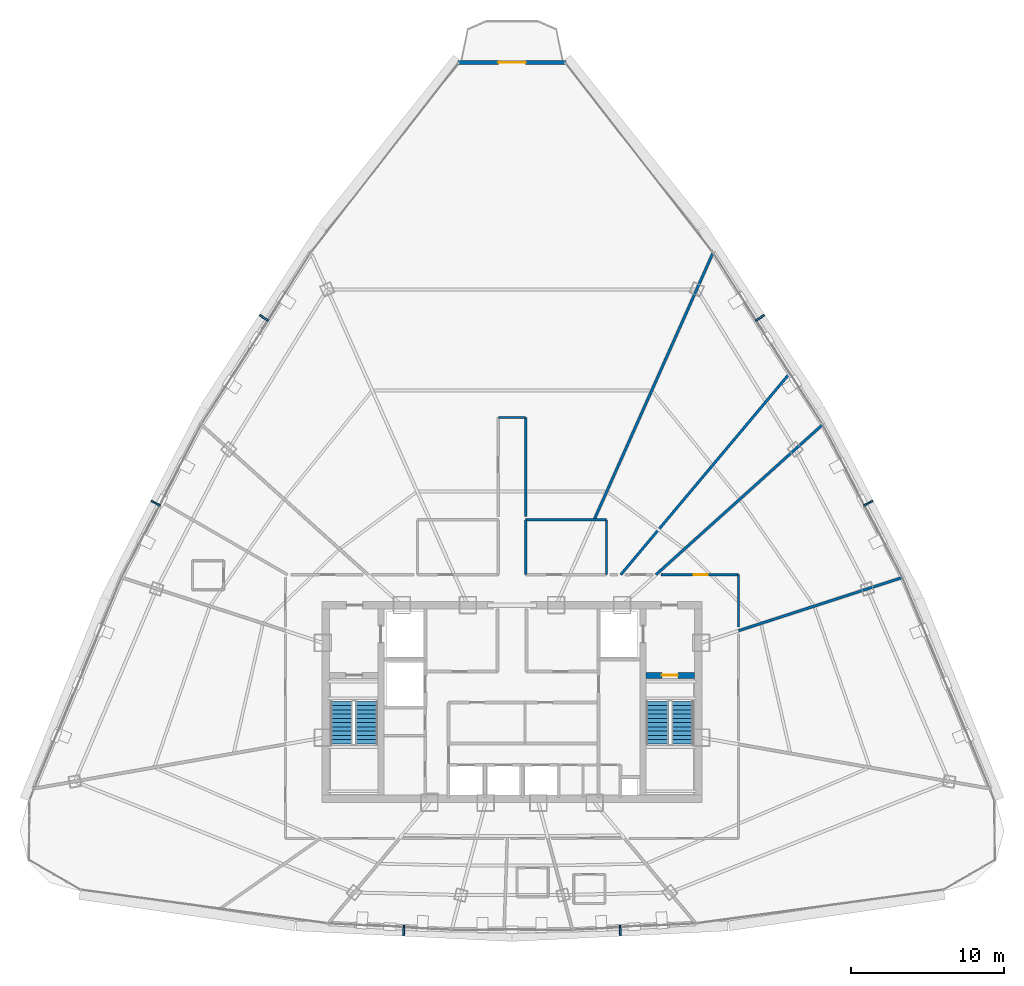
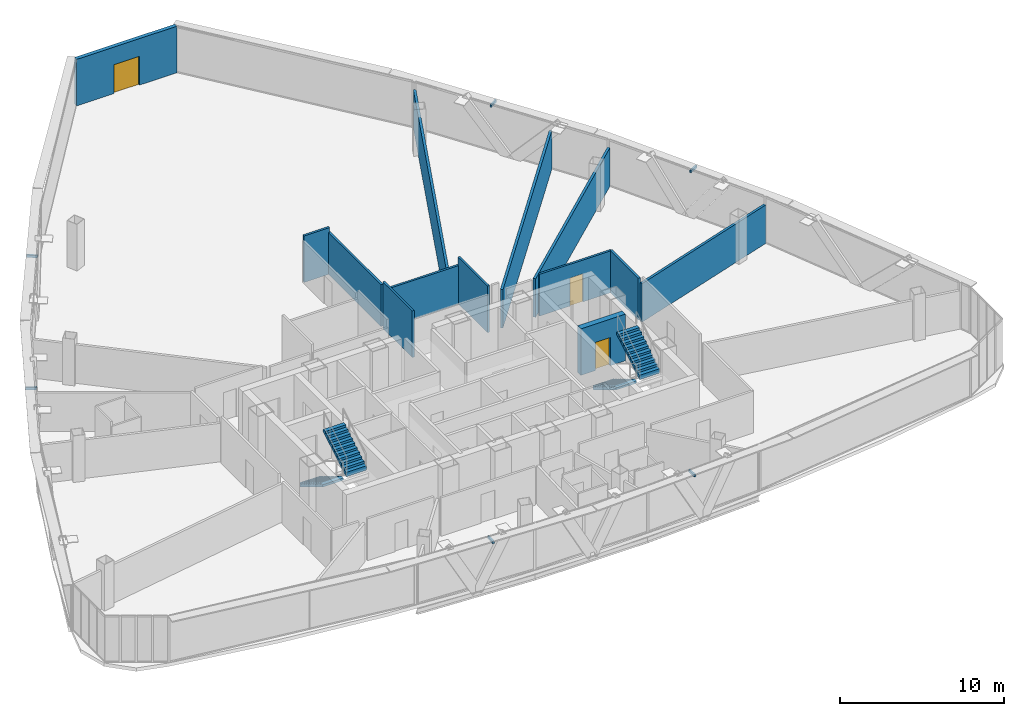
# One storey, part 36 of 39: 13 walls, 6 discrete accessories, 4 stair flights, 3 doors, 3 openings, 2 elements without a shape of their own.
"""IFC4 building model written with IfcOpenShell, lengths in metres."""

from ifc_helpers import new_model, si_unit, direction, frame, frame_2d, origin, origin_with_axes, origin_2d, place, context, subcontext, project, spatial, polyline, rectangle, outline, extrude, source, transform, mapped, material, layer, layer_set, type_object, element, fill, aggregate, save


model = new_model("IFC4")

# Units and contexts
model_context = context("Model", 3, precision=1e-05, world=origin(), true_north=direction((0.0, 1.0)))
body_context = subcontext(model_context, "Body", "Model", "MODEL_VIEW")
ifc_project = project(units=[si_unit("LENGTHUNIT", "METRE"), si_unit("AREAUNIT", "SQUARE_METRE"), si_unit("VOLUMEUNIT", "CUBIC_METRE"), si_unit("PLANEANGLEUNIT", "RADIAN"), si_unit("MASSUNIT", "GRAM", prefix="KILO"), si_unit("THERMODYNAMICTEMPERATUREUNIT", "KELVIN"), si_unit("POWERUNIT", "WATT")], contexts=[model_context])

# Site, building, storey
site_placement = place(None, origin())
site = spatial("IfcSite", under=ifc_project, at=site_placement, CompositionType="ELEMENT")
building_placement = place(site_placement, origin())
building = spatial("IfcBuilding", under=site, at=building_placement, Name="Yunzhuo Pagoda Commons", CompositionType="ELEMENT")
storey_placement = place(building_placement, frame((0.0, 0.0, 296.2099609375)))
storey = spatial("IfcBuildingStorey", under=building, at=storey_placement, Name="L74", CompositionType="ELEMENT", Elevation=296.2099609375)

# Wall, opening, door
ifc_material_1 = material(Name="Precast concrete C40", Category="concrete")
ifc_layer_1 = layer(ifc_material_1, 0.260009765625)
ifc_layer_set_1 = layer_set([ifc_layer_1], Name="Precast concrete C40")
wall_type_1 = type_object("IfcWallType", Name="W-BAL1 Corner Balcony Threshold Wall 260", PredefinedType="STANDARD", material=ifc_layer_set_1)
wall_1_placement = place(storey_placement, frame((51.534912109375, 75.790283203125, 0.0), z_axis=(0.0, 0.0, 1.0), x_axis=(-1.0, 0.0, 0.0)))
wall_1 = element("IfcWall", 1, at=wall_1_placement, inside=storey, type_object=wall_type_1, Name="L74 corner balcony wall V3", PredefinedType="STANDARD", context=body_context, shape_type="SweptSolid", body=[
    extrude(rectangle(XDim=7.06982421875, YDim=0.260009765625, at=frame_2d((3.534912109375, 0.0))), origin(), (0.0, 0.0, 1.0), 3.469970703125),
])
opening_1_placement = place(wall_1_placement, frame((2.635009765625, 0.0, 0.0)))
opening_1 = element("IfcOpeningElement", 2, at=opening_1_placement, cuts=wall_1, Name="Opening D-BAL1", PredefinedType="OPENING", context=body_context, shape_type="SweptSolid", body=[
    extrude(rectangle(XDim=1.800048828125, YDim=2.14990234375, at=frame_2d((0.89990234375, 1.074951171875))), frame((0.0, 0.14013671875, 0.0), z_axis=(0.0, -1.0, 0.0), x_axis=(1.0, 0.0, 0.0)), (0.0, 0.0, 1.0), 0.280029296875),
])
ifc_material_2 = material(Name="Anodized aluminium frame and tempered glazed leaf", Category="aluminium")
door_type_1 = type_object("IfcDoorType", Name="D-BAL1 Corner Balcony Sliding Glazed Door 1800x2150", OperationType="DOUBLE_DOOR_SLIDING", PredefinedType="DOOR", material=ifc_material_2)
shared_shape_1 = source(origin(), body_context, "Body", "SweptSolid", [
    extrude(rectangle(XDim=1.800048828125, YDim=2.14990234375, at=frame_2d((0.89990234375, 1.074951171875))), frame((0.0, 0.02490234375, 0.0), z_axis=(0.0, -1.0, 0.0), x_axis=(1.0, 0.0, 0.0)), (0.0, 0.0, 1.0), 0.050048828125),
])
door_1_placement = place(opening_1_placement, origin_with_axes())
door_1 = element("IfcDoor", 3, at=door_1_placement, inside=storey, type_object=door_type_1, Name="L74 corner balcony sliding door V3", OperationType="DOUBLE_DOOR_SLIDING", OverallHeight=2.14990234375, OverallWidth=1.800048828125, PredefinedType="DOOR", context=body_context, shape_type="MappedRepresentation", body=[
    mapped(shared_shape_1, transform((0.0, 0.0, 0.0), scale=1.0)),
])
fill(opening_1, door_1)

# Walls
ifc_material_3 = material(Name="Gypsum plasterboard on acoustic stud")
ifc_layer_2 = layer(ifc_material_3, 0.14990234375)
ifc_layer_set_2 = layer_set([ifc_layer_2], Name="Gypsum plasterboard on acoustic stud")
wall_type_2 = type_object("IfcWallType", Name="W-COR3 High-Zone Rated Corridor Wall 150", PredefinedType="PARTITIONING", material=ifc_layer_set_2)
wall_2_placement = place(storey_placement, frame((48.89990234375, 45.800048828125, 0.0), z_axis=(0.0, 0.0, 1.0), x_axis=(1.0, 0.0, 0.0)))
element("IfcWall", 4, at=wall_2_placement, inside=storey, type_object=wall_type_2, Name="L74 interior wall IW-L74-TFEN", PredefinedType="PARTITIONING", context=body_context, shape_type="SweptSolid", body=[
    extrude(rectangle(XDim=5.300048828125, YDim=0.14990234375, at=frame_2d((2.64990234375, 0.0))), origin(), (0.0, 0.0, 1.0), 2.8701171875),
])
for number, where, z_axis, x_axis, name in (
    (5, (48.89990234375, 42.199951171875, 0.0), (0.0, 0.0, 1.0), (0.0, 1.0, 0.0), "L74 interior wall IW-L74-TFEW"),
    (6, (54.199951171875, 42.199951171875, 0.0), (0.0, 0.0, 1.0), (0.0, 1.0, 0.0), "L74 interior wall IW-L74-TFEE"),
):
    element("IfcWall", number, at=place(storey_placement, frame(where, z_axis=z_axis, x_axis=x_axis)), inside=storey, type_object=wall_type_2, Name=name, PredefinedType="PARTITIONING", context=body_context, shape_type="SweptSolid", body=[
        extrude(rectangle(XDim=3.60009765625, YDim=0.14990234375, at=frame_2d((1.800048828125, 0.0))), origin(), (0.0, 0.0, 1.0), 3.469970703125),
    ])
wall_3_placement = place(storey_placement, frame((47.10009765625, 52.5, 0.0), z_axis=(0.0, 0.0, 1.0), x_axis=(1.0, 0.0, 0.0)))
element("IfcWall", 7, at=wall_3_placement, inside=storey, type_object=wall_type_2, Name="L74 interior wall IW-L74-CWL07", PredefinedType="PARTITIONING", context=body_context, shape_type="SweptSolid", body=[
    extrude(rectangle(XDim=1.7998046875, YDim=0.14990234375, at=frame_2d((0.89990234375, 0.0))), origin(), (0.0, 0.0, 1.0), 3.469970703125),
])
wall_4_placement = place(storey_placement, frame((48.89990234375, 52.5, 0.0), z_axis=(0.0, 0.0, 1.0), x_axis=(0.0, -1.0, 0.0)))
element("IfcWall", 8, at=wall_4_placement, inside=storey, type_object=wall_type_2, Name="L74 interior wall IW-L74-CWL08", PredefinedType="PARTITIONING", context=body_context, shape_type="SweptSolid", body=[
    extrude(rectangle(XDim=6.47998046875, YDim=0.14990234375, at=frame_2d((3.239990234375, 0.0))), origin(), (0.0, 0.0, 1.0), 3.1201171875),
])

# Wall, opening, door
wall_5_placement = place(storey_placement, frame((57.76904296875, 42.199951171875, 0.0), z_axis=(0.0, 0.0, 1.0), x_axis=(1.0, 0.0, 0.0)))
wall_5 = element("IfcWall", 9, at=wall_5_placement, inside=storey, type_object=wall_type_2, Name="L74 interior wall IW-L74-CWL11", PredefinedType="PARTITIONING", context=body_context, shape_type="SweptSolid", body=[
    extrude(rectangle(XDim=5.0810546875, YDim=0.14990234375, at=frame_2d((2.54052734375, 0.0))), origin(), (0.0, 0.0, 1.0), 3.1201171875),
])
opening_2_placement = place(wall_5_placement, frame((2.14599609375, 0.0, 0.0)))
opening_2 = element("IfcOpeningElement", 10, at=opening_2_placement, cuts=wall_5, Name="Opening D-04", PredefinedType="OPENING", context=body_context, shape_type="SweptSolid", body=[
    extrude(rectangle(XDim=0.919921875, YDim=2.10009765625, at=frame_2d((0.4599609375, 1.050048828125))), frame((0.0, 0.0849609375, 0.0), z_axis=(0.0, -1.0, 0.0), x_axis=(1.0, 0.0, 0.0)), (0.0, 0.0, 1.0), 0.169921875),
])
ifc_material_4 = material(Name="Powder-coated aluminium and timber acoustic leaf", Category="wood")
door_type_2 = type_object("IfcDoorType", Name="D-04 Bedroom & Study Interior Door 920x2100", OperationType="NOTDEFINED", PredefinedType="DOOR", material=ifc_material_4)
shared_shape_2 = source(origin(), body_context, "Body", "SweptSolid", [
    extrude(rectangle(XDim=0.919921875, YDim=2.10009765625, at=frame_2d((0.4599609375, 1.050048828125))), frame((0.0, 0.02490234375, 0.0), z_axis=(0.0, -1.0, 0.0), x_axis=(1.0, 0.0, 0.0)), (0.0, 0.0, 1.0), 0.050048828125),
])
door_2_placement = place(opening_2_placement, origin_with_axes())
door_2 = element("IfcDoor", 11, at=door_2_placement, inside=storey, type_object=door_type_2, Name="L74 seminar room 02 door", OperationType="SINGLE_SWING_LEFT", OverallHeight=2.10009765625, OverallWidth=0.919921875, PredefinedType="DOOR", context=body_context, shape_type="MappedRepresentation", body=[
    mapped(shared_shape_2, transform((0.0, 0.0, 0.0), scale=1.0)),
])
fill(opening_2, door_2)

# Walls
wall_6_placement = place(storey_placement, frame((62.85009765625, 42.199951171875, 0.0), z_axis=(0.0, 0.0, 1.0), x_axis=(0.0, -1.0, 0.0)))
element("IfcWall", 12, at=wall_6_placement, inside=storey, type_object=wall_type_2, Name="L74 interior wall IW-L74-CWL12", PredefinedType="PARTITIONING", context=body_context, shape_type="SweptSolid", body=[
    extrude(rectangle(XDim=3.443603515625, YDim=0.14990234375, at=frame_2d((1.7216796875, 0.0))), origin(), (0.0, 0.0, 1.0), 3.1201171875),
])
ifc_layer_3 = layer(ifc_material_3, 0.169921875)
ifc_layer_set_3 = layer_set([ifc_layer_3], Name="Gypsum plasterboard on acoustic stud")
wall_type_3 = type_object("IfcWallType", Name="W-PRT4 High-Zone Demising Wall 170", PredefinedType="PARTITIONING", material=ifc_layer_set_3)
wall_7_placement = place(storey_placement, frame((62.85009765625, 38.525146484375, 0.0), z_axis=(0.0, 0.0, 1.0), x_axis=(0.951060099206, 0.309005967092, 0.0)))
element("IfcWall", 13, at=wall_7_placement, inside=storey, type_object=wall_type_3, Name="L74 interior wall IW-L74-RAD01", PredefinedType="PARTITIONING", context=body_context, shape_type="SweptSolid", body=[
    extrude(rectangle(XDim=11.30224609375, YDim=0.169921875, at=frame_2d((5.651123046875, 0.0))), origin(), (0.0, 0.0, 1.0), 2.8701171875),
])
wall_8_placement = place(storey_placement, frame((57.440185546875, 42.199951171875, 0.0), z_axis=(0.0, 0.0, 1.0), x_axis=(0.743145593795, 0.669129753055, 0.0)))
element("IfcWall", 14, at=wall_8_placement, inside=storey, type_object=wall_type_3, Name="L74 interior wall IW-L74-RAD02", PredefinedType="PARTITIONING", context=body_context, shape_type="SweptSolid", body=[
    extrude(rectangle(XDim=14.711181640625, YDim=0.169921875, at=frame_2d((7.35546875, 0.0))), origin(), (0.0, 0.0, 1.0), 2.8701171875),
])
wall_9_placement = place(storey_placement, frame((55.13232421875, 42.199951171875, 0.0), z_axis=(0.0, 0.0, 1.0), x_axis=(0.642779182264, 0.766051514487, 0.0)))
element("IfcWall", 15, at=wall_9_placement, inside=storey, type_object=wall_type_3, Name="L74 interior wall IW-L74-RAD03", PredefinedType="PARTITIONING", context=body_context, shape_type="SweptSolid", body=[
    extrude(rectangle(XDim=17.254150390625, YDim=0.169921875, at=frame_2d((8.626953125, 0.0))), origin(), (0.0, 0.0, 1.0), 2.8701171875),
])
wall_10_placement = place(storey_placement, frame((53.38720703125, 45.800048828125, 0.0), z_axis=(0.0, 0.0, 1.0), x_axis=(0.406740781751, 0.913543614975, 0.0)))
element("IfcWall", 16, at=wall_10_placement, inside=storey, type_object=wall_type_3, Name="L74 interior wall IW-L74-RAD04", PredefinedType="PARTITIONING", context=body_context, shape_type="SweptSolid", body=[
    extrude(rectangle(XDim=19.177490234375, YDim=0.169921875, at=frame_2d((9.5888671875, 0.0))), origin(), (0.0, 0.0, 1.0), 2.8701171875),
])

# Wall, opening, door
ifc_material_5 = material(Name="Concrete C60", Category="concrete")
ifc_layer_4 = layer(ifc_material_5, 0.39990234375)
ifc_layer_set_4 = layer_set([ifc_layer_4], Name="Concrete C60")
wall_type_4 = type_object("IfcWallType", Name="W-S01 Internal Core Shear Web 400", PredefinedType="SHEAR", material=ifc_layer_set_4)
wall_11_placement = place(storey_placement, frame((56.800048828125, 35.60009765625, 0.0), z_axis=(0.0, 0.0, 1.0), x_axis=(1.0, 0.0, 0.0)))
wall_11 = element("IfcWall", 17, at=wall_11_placement, inside=storey, type_object=wall_type_4, Name="L74 core shear wall STE", PredefinedType="SHEAR", context=body_context, shape_type="SweptSolid", body=[
    extrude(rectangle(XDim=3.14990234375, YDim=0.39990234375, at=frame_2d((1.574951171875, 0.0))), origin(), (0.0, 0.0, 1.0), 3.469970703125),
])
opening_3_placement = place(wall_11_placement, frame((1.02001953125, 0.0, 0.0)))
opening_3 = element("IfcOpeningElement", 18, at=opening_3_placement, cuts=wall_11, Name="Opening D-01", PredefinedType="OPENING", context=body_context, shape_type="SweptSolid", body=[
    extrude(rectangle(XDim=1.050048828125, YDim=2.10009765625, at=frame_2d((0.52490234375, 1.050048828125))), frame((0.0, 0.2099609375, 0.0), z_axis=(0.0, -1.0, 0.0), x_axis=(1.0, 0.0, 0.0)), (0.0, 0.0, 1.0), 0.419921875),
])
ifc_material_6 = material(Name="Galvanized fire-resisting metal leaf")
door_type_3 = type_object("IfcDoorType", Name="D-01 Smokeproof Stair Fire Door 1050x2100", OperationType="NOTDEFINED", PredefinedType="DOOR", material=ifc_material_6)
shared_shape_3 = source(origin(), body_context, "Body", "SweptSolid", [
    extrude(rectangle(XDim=1.050048828125, YDim=2.10009765625, at=frame_2d((0.52490234375, 1.050048828125))), frame((0.0, 0.02490234375, 0.0), z_axis=(0.0, -1.0, 0.0), x_axis=(1.0, 0.0, 0.0)), (0.0, 0.0, 1.0), 0.050048828125),
])
door_3_placement = place(opening_3_placement, frame((1.050048828125, 0.0, 0.0), z_axis=(0.0, 0.0, 1.0), x_axis=(-1.0, 0.0, 0.0)))
door_3 = element("IfcDoor", 19, at=door_3_placement, inside=storey, type_object=door_type_3, Name="L74 Stair ST2 fire door", OperationType="SINGLE_SWING_RIGHT", OverallHeight=2.10009765625, OverallWidth=1.050048828125, PredefinedType="DOOR", context=body_context, shape_type="MappedRepresentation", body=[
    mapped(shared_shape_3, transform((0.0, 0.0, 0.0), scale=1.0)),
])
fill(opening_3, door_3)

# Stair, stair flights
ifc_material_7 = material(Name="Concrete C40", Category="concrete")
stair_type_1 = type_object("IfcStairType", Name="ST-C1 Core Smokeproof Stair ST1", PredefinedType="HALF_TURN_STAIR", material=ifc_material_7)
stair_1_placement = place(storey_placement, origin())
stair_1 = element("IfcStair", 20, at=stair_1_placement, inside=storey, type_object=stair_type_1, Name="L74 Core smokeproof stair ST1", PredefinedType="HALF_TURN_STAIR")
stair_flight_type_1 = type_object("IfcStairFlightType", Name="STF-C1 Core Stair Flight 1450", PredefinedType="STRAIGHT", material=ifc_material_7)
shared_shape_4 = source(origin(), body_context, "Body", "SweptSolid", [
    extrude(outline(polyline([(0.0, -0.14990234375), (0.0, 0.0), (0.0, 0.16943359375), (0.280029296875, 0.16943359375), (0.280029296875, 0.339111328125), (0.56005859375, 0.339111328125), (0.56005859375, 0.508544921875), (0.840087890625, 0.508544921875), (0.840087890625, 0.67822265625), (1.1201171875, 0.67822265625), (1.1201171875, 0.84765625), (1.39990234375, 0.84765625), (1.39990234375, 1.017333984375), (1.679931640625, 1.017333984375), (1.679931640625, 1.186767578125), (1.9599609375, 1.186767578125), (1.9599609375, 1.3564453125), (2.239990234375, 1.3564453125), (2.239990234375, 1.52587890625), (2.52001953125, 1.52587890625), (2.52001953125, 1.695556640625), (2.800048828125, 1.695556640625), (2.800048828125, 1.864990234375), (2.800048828125, 1.520263671875), (0.289306640625, 0.0), (0.050048828125, -0.14990234375), (0.0, -0.14990234375)])), frame((0.0, 0.72509765625, 0.0), z_axis=(0.0, -1.0, 0.0), x_axis=(1.0, 0.0, 0.0)), (0.0, 0.0, 1.0), 1.449951171875),
])
stair_flight_1_placement = place(storey_placement, frame((36.824951171875, 33.89990234375, 0.0), z_axis=(0.0, 0.0, 1.0), x_axis=(0.0, -1.0, 0.0)))
stair_flight_1 = element("IfcStairFlight", 21, at=stair_flight_1_placement, type_object=stair_flight_type_1, Name="ST1 flight 1", NumberOfRisers=11, NumberOfTreads=10, PredefinedType="STRAIGHT", RiserHeight=0.169545455, TreadLength=0.28, context=body_context, shape_type="MappedRepresentation", body=[
    mapped(shared_shape_4, transform((0.0, 0.0, 0.0), scale=1.0)),
])
stair_flight_2_placement = place(storey_placement, frame((38.47509765625, 31.10009765625, 1.864990234375), z_axis=(0.0, 0.0, 1.0), x_axis=(0.0, 1.0, 0.0)))
stair_flight_2 = element("IfcStairFlight", 22, at=stair_flight_2_placement, type_object=stair_flight_type_1, Name="ST1 flight 2", NumberOfRisers=11, NumberOfTreads=10, PredefinedType="STRAIGHT", RiserHeight=0.169545455, TreadLength=0.28, context=body_context, shape_type="MappedRepresentation", body=[
    mapped(shared_shape_4, transform((0.0, 0.0, 0.0), scale=1.0)),
])
aggregate(stair_1, [stair_flight_1, stair_flight_2])

stair_type_2 = type_object("IfcStairType", Name="ST-C2 Core Smokeproof Stair ST2", PredefinedType="HALF_TURN_STAIR", material=ifc_material_7)
stair_2_placement = place(storey_placement, origin())
stair_2 = element("IfcStair", 23, at=stair_2_placement, inside=storey, type_object=stair_type_2, Name="L74 Core smokeproof stair ST2", PredefinedType="HALF_TURN_STAIR")
stair_flight_type_2 = type_object("IfcStairFlightType", Name="STF-C2 Core Stair Flight 1460", PredefinedType="STRAIGHT", material=ifc_material_7)
stair_flight_3_placement = place(storey_placement, frame((57.52490234375, 33.89990234375, 0.0), z_axis=(0.0, 0.0, 1.0), x_axis=(0.0, -1.0, 0.0)))
stair_flight_3 = element("IfcStairFlight", 24, at=stair_flight_3_placement, type_object=stair_flight_type_2, Name="ST2 flight 1", NumberOfRisers=11, NumberOfTreads=10, PredefinedType="STRAIGHT", RiserHeight=0.169545455, TreadLength=0.28, context=body_context, shape_type="MappedRepresentation", body=[
    mapped(shared_shape_4, transform((0.0, 0.0, 0.0), scale=1.0)),
])
stair_flight_4_placement = place(storey_placement, frame((59.175048828125, 31.10009765625, 1.864990234375), z_axis=(0.0, 0.0, 1.0), x_axis=(0.0, 1.0, 0.0)))
stair_flight_4 = element("IfcStairFlight", 25, at=stair_flight_4_placement, type_object=stair_flight_type_2, Name="ST2 flight 2", NumberOfRisers=11, NumberOfTreads=10, PredefinedType="STRAIGHT", RiserHeight=0.169545455, TreadLength=0.28, context=body_context, shape_type="MappedRepresentation", body=[
    mapped(shared_shape_4, transform((0.0, 0.0, 0.0), scale=1.0)),
])
aggregate(stair_2, [stair_flight_3, stair_flight_4])

# Discrete accessories
ifc_material_8 = material(Name="Anodized aluminium 6063-T6", Category="aluminium")
discrete_accessory_type = type_object("IfcDiscreteAccessoryType", Name="BK-SUN1 Sunshade Outrigger Bracket", PredefinedType="BRACKET", material=ifc_material_8)
shared_shape_5 = source(origin(), body_context, "Body", "SweptSolid", [
    extrude(rectangle(XDim=0.1201171875, YDim=0.679931640625, at=origin_2d()), origin(), (0.0, 0.0, 1.0), 0.179931640625),
])
for number, where, z_axis, x_axis, name in (
    (26, (40.9052734375, 18.862060546875, 3.26025390625), (0.0, 0.0, 1.0), (0.998818043775, -0.04860571396, 0.0), "L74 sunshade outrigger bracket F1.2"),
    (27, (55.0947265625, 18.862060546875, 3.26025390625), (0.0, 0.0, 1.0), (0.998818043775, 0.04860571396, 0.0), "L74 sunshade outrigger bracket F1.3"),
    (28, (71.359375, 46.885498046875, 3.26025390625), (0.0, 0.0, 1.0), (-0.461206683033, 0.88729273384, 0.0), "L74 sunshade outrigger bracket F2.2"),
    (29, (64.264404296875, 59.0400390625, 3.26025390625), (0.0, 0.0, 1.0), (-0.545853380833, 0.837880711458, 0.0), "L74 sunshade outrigger bracket F2.3"),
    (30, (31.735595703125, 59.0400390625, 3.26025390625), (0.0, 0.0, 1.0), (-0.545853380833, -0.837880711458, 0.0), "L74 sunshade outrigger bracket F3.2"),
    (31, (24.640625, 46.885498046875, 3.26025390625), (0.0, 0.0, 1.0), (-0.461206683033, -0.88729273384, 0.0), "L74 sunshade outrigger bracket F3.3"),
):
    element("IfcDiscreteAccessory", number, at=place(storey_placement, frame(where, z_axis=z_axis, x_axis=x_axis)), inside=storey, type_object=discrete_accessory_type, Name=name, PredefinedType="BRACKET", context=body_context, shape_type="MappedRepresentation", body=[
        mapped(shared_shape_5, transform((0.0, 0.0, 0.0), scale=1.0)),
    ])

save(model, "model.ifc")
